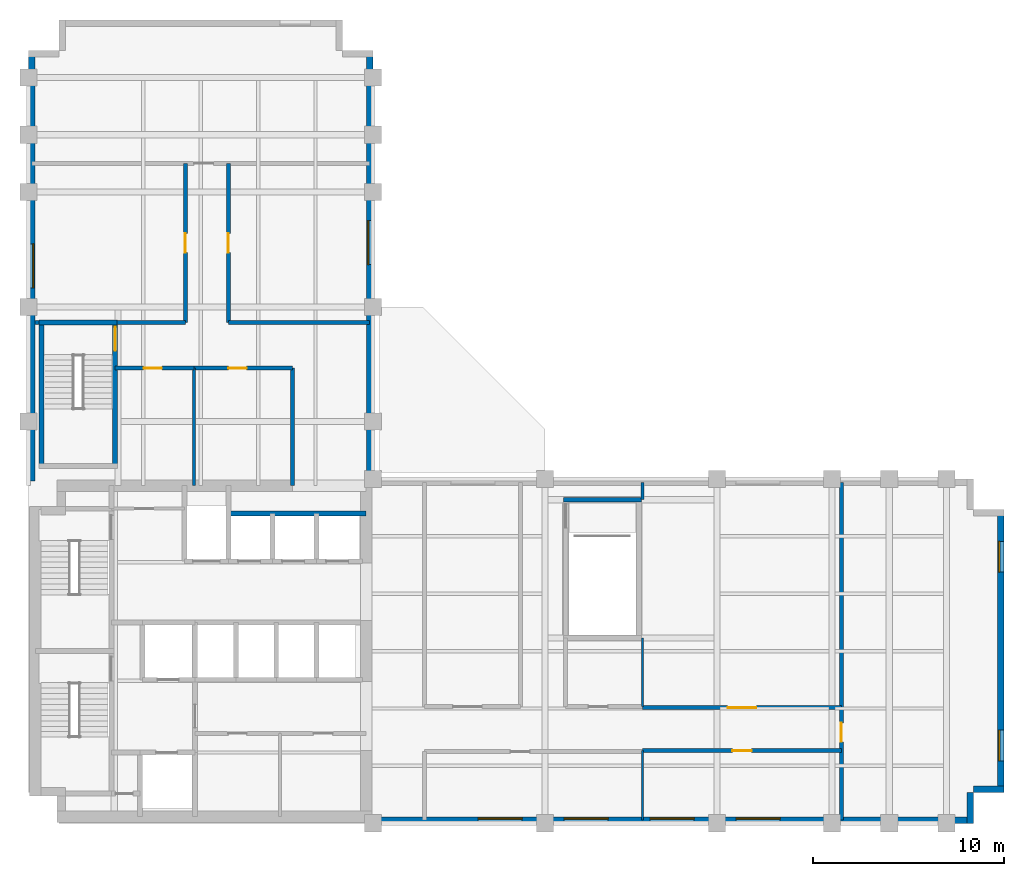
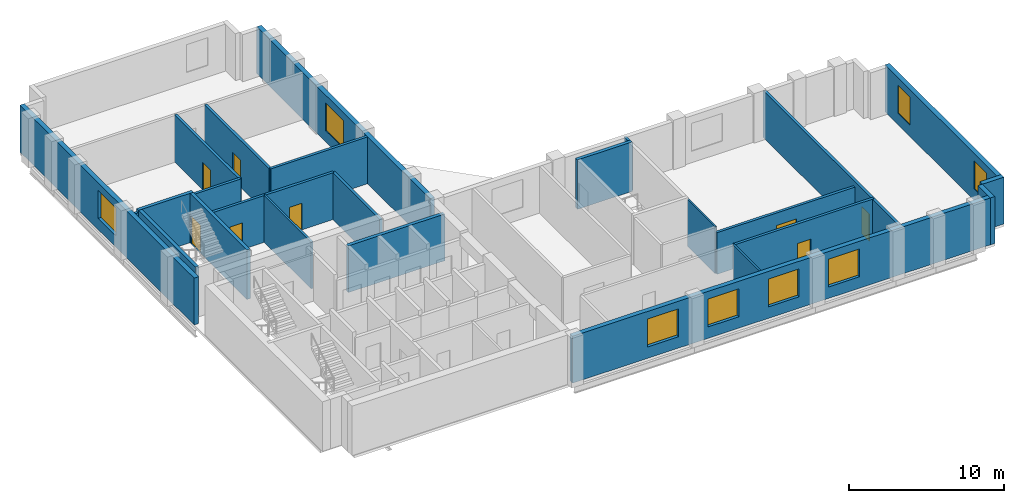
# One storey, part 4 of 6: 26 walls, 8 doors, 8 windows, 16 openings.
"""IFC4 building model written with IfcOpenShell, lengths in metres."""

from ifc_helpers import new_model, si_unit, direction, frame, frame_2d, origin, place, context, subcontext, project, spatial, rectangle, extrude, material, layer, layer_set, type_object, element, fill, save


model = new_model("IFC4")

# Units and contexts
model_context = context("Model", 3, precision=1e-05, world=origin(), true_north=direction((0.0, 1.0)))
body_context = subcontext(model_context, "Body", "Model", "MODEL_VIEW")
ifc_project = project(units=[si_unit("LENGTHUNIT", "METRE"), si_unit("AREAUNIT", "SQUARE_METRE"), si_unit("VOLUMEUNIT", "CUBIC_METRE"), si_unit("PLANEANGLEUNIT", "RADIAN"), si_unit("MASSUNIT", "GRAM", prefix="KILO")], contexts=[model_context])

# Site, building, storey
site_placement = place(None, origin())
site = spatial("IfcSite", under=ifc_project, at=site_placement, CompositionType="ELEMENT")
building_placement = place(site_placement, origin())
building = spatial("IfcBuilding", under=site, at=building_placement, Name="Mawjdan Bourse Tower", CompositionType="ELEMENT")
storey_placement = place(building_placement, frame((0.0, 0.0, 164.39990234375)))
storey = spatial("IfcBuildingStorey", under=building, at=storey_placement, Name="L39", CompositionType="ELEMENT", Elevation=164.39990234375)

# Wall, openings, windows
ifc_material_1 = material(Name="Brick Masonry Buff", Category="masonry")
ifc_layer_1 = layer(ifc_material_1, 0.340087890625)
ifc_layer_set_1 = layer_set([ifc_layer_1], Name="Brick Masonry Buff")
wall_type_1 = type_object("IfcWallType", Name="WL-BRK-SPN-340", PredefinedType="STANDARD", material=ifc_layer_set_1)
wall_1_placement = place(storey_placement, frame((23.89990234375, 3.169921875, 0.0), z_axis=(0.0, 0.0, 1.0), x_axis=(1.0, 0.0, 0.0)))
wall_1 = element("IfcWall", 1, at=wall_1_placement, inside=storey, type_object=wall_type_1, Name="L39 Exterior Brick Wall 1", PredefinedType="STANDARD", context=body_context, shape_type="SweptSolid", body=[
    extrude(rectangle(XDim=31.5, YDim=0.340087890625, at=frame_2d((15.75, 0.0))), origin(), (0.0, 0.0, 1.0), 3.7001953125),
])
opening_1_placement = place(wall_1_placement, frame((5.60009765625, 0.0, 0.89990234375)))
opening_1 = element("IfcOpeningElement", 2, at=opening_1_placement, cuts=wall_1, Name="Opening W-L39-01", PredefinedType="OPENING", context=body_context, shape_type="SweptSolid", body=[
    extrude(rectangle(XDim=2.300048828125, YDim=2.199951171875, at=frame_2d((1.14990234375, 1.10009765625))), frame((0.0, 0.18017578125, 0.0), z_axis=(0.0, -1.0, 0.0), x_axis=(1.0, 0.0, 0.0)), (0.0, 0.0, 1.0), 0.360107421875),
])
opening_2_placement = place(wall_1_placement, frame((10.10009765625, 0.0, 0.89990234375)))
opening_2 = element("IfcOpeningElement", 3, at=opening_2_placement, cuts=wall_1, Name="Opening W-L39-02", PredefinedType="OPENING", context=body_context, shape_type="SweptSolid", body=[
    extrude(rectangle(XDim=2.300048828125, YDim=2.199951171875, at=frame_2d((1.14990234375, 1.10009765625))), frame((0.0, 0.18017578125, 0.0), z_axis=(0.0, -1.0, 0.0), x_axis=(1.0, 0.0, 0.0)), (0.0, 0.0, 1.0), 0.360107421875),
])
opening_3_placement = place(wall_1_placement, frame((14.60009765625, 0.0, 0.89990234375)))
opening_3 = element("IfcOpeningElement", 4, at=opening_3_placement, cuts=wall_1, Name="Opening W-L39-03", PredefinedType="OPENING", context=body_context, shape_type="SweptSolid", body=[
    extrude(rectangle(XDim=2.300048828125, YDim=2.199951171875, at=frame_2d((1.14990234375, 1.10009765625))), frame((0.0, 0.18017578125, 0.0), z_axis=(0.0, -1.0, 0.0), x_axis=(1.0, 0.0, 0.0)), (0.0, 0.0, 1.0), 0.360107421875),
])
opening_4_placement = place(wall_1_placement, frame((19.10009765625, 0.0, 0.89990234375)))
opening_4 = element("IfcOpeningElement", 5, at=opening_4_placement, cuts=wall_1, Name="Opening W-L39-04", PredefinedType="OPENING", context=body_context, shape_type="SweptSolid", body=[
    extrude(rectangle(XDim=2.300048828125, YDim=2.199951171875, at=frame_2d((1.14990234375, 1.10009765625))), frame((0.0, 0.18017578125, 0.0), z_axis=(0.0, -1.0, 0.0), x_axis=(1.0, 0.0, 0.0)), (0.0, 0.0, 1.0), 0.360107421875),
])
ifc_material_2 = material(Name="Solar-Control Clear Double Glazing", Category="glass")
window_type_1 = type_object("IfcWindowType", Name="WN-Z3-2300", PartitioningType="SINGLE_PANEL", PredefinedType="WINDOW", material=ifc_material_2)
window_1_placement = place(opening_1_placement, origin())
window_1 = element("IfcWindow", 6, at=window_1_placement, inside=storey, type_object=window_type_1, Name="L39 Deep-Set Masonry Window W-L39-01", OverallHeight=2.199951171875, OverallWidth=2.300048828125, PartitioningType="SINGLE_PANEL", PredefinedType="WINDOW", context=body_context, shape_type="SweptSolid", body=[
    extrude(rectangle(XDim=2.300048828125, YDim=2.199951171875, at=frame_2d((1.14990234375, 1.10009765625))), frame((0.0, 0.110107421875, 0.0), z_axis=(0.0, -1.0, 0.0), x_axis=(1.0, 0.0, 0.0)), (0.0, 0.0, 1.0), 0.06005859375),
])
fill(opening_1, window_1)
window_2_placement = place(opening_2_placement, origin())
window_2 = element("IfcWindow", 7, at=window_2_placement, inside=storey, type_object=window_type_1, Name="L39 Deep-Set Masonry Window W-L39-02", OverallHeight=2.199951171875, OverallWidth=2.300048828125, PartitioningType="SINGLE_PANEL", PredefinedType="WINDOW", context=body_context, shape_type="SweptSolid", body=[
    extrude(rectangle(XDim=2.300048828125, YDim=2.199951171875, at=frame_2d((1.14990234375, 1.10009765625))), frame((0.0, 0.110107421875, 0.0), z_axis=(0.0, -1.0, 0.0), x_axis=(1.0, 0.0, 0.0)), (0.0, 0.0, 1.0), 0.06005859375),
])
fill(opening_2, window_2)
window_3_placement = place(opening_3_placement, origin())
window_3 = element("IfcWindow", 8, at=window_3_placement, inside=storey, type_object=window_type_1, Name="L39 Deep-Set Masonry Window W-L39-03", OverallHeight=2.199951171875, OverallWidth=2.300048828125, PartitioningType="SINGLE_PANEL", PredefinedType="WINDOW", context=body_context, shape_type="SweptSolid", body=[
    extrude(rectangle(XDim=2.300048828125, YDim=2.199951171875, at=frame_2d((1.14990234375, 1.10009765625))), frame((0.0, 0.110107421875, 0.0), z_axis=(0.0, -1.0, 0.0), x_axis=(1.0, 0.0, 0.0)), (0.0, 0.0, 1.0), 0.06005859375),
])
fill(opening_3, window_3)
window_4_placement = place(opening_4_placement, origin())
window_4 = element("IfcWindow", 9, at=window_4_placement, inside=storey, type_object=window_type_1, Name="L39 Deep-Set Masonry Window W-L39-04", OverallHeight=2.199951171875, OverallWidth=2.300048828125, PartitioningType="SINGLE_PANEL", PredefinedType="WINDOW", context=body_context, shape_type="SweptSolid", body=[
    extrude(rectangle(XDim=2.300048828125, YDim=2.199951171875, at=frame_2d((1.14990234375, 1.10009765625))), frame((0.0, 0.110107421875, 0.0), z_axis=(0.0, -1.0, 0.0), x_axis=(1.0, 0.0, 0.0)), (0.0, 0.0, 1.0), 0.06005859375),
])
fill(opening_4, window_4)

# Walls
for number, where, z_axis, x_axis, name in (
    (10, (55.22998046875, 3.0, 0.0), (0.0, 0.0, 1.0), (0.0, 1.0, 0.0), "L39 Exterior Brick Wall 2"),
    (11, (55.39990234375, 4.77001953125, 0.0), (0.0, 0.0, 1.0), (1.0, 0.0, 0.0), "L39 Exterior Brick Wall 3"),
):
    element("IfcWall", number, at=place(storey_placement, frame(where, z_axis=z_axis, x_axis=x_axis)), inside=storey, type_object=wall_type_1, Name=name, PredefinedType="STANDARD", context=body_context, shape_type="SweptSolid", body=[
        extrude(rectangle(XDim=1.60009765625, YDim=0.340087890625, at=frame_2d((0.800048828125, 0.0))), origin(), (0.0, 0.0, 1.0), 3.7001953125),
    ])

# Wall, openings, windows
wall_2_placement = place(storey_placement, frame((56.830078125, 4.60009765625, 0.0), z_axis=(0.0, 0.0, 1.0), x_axis=(0.0, 1.0, 0.0)))
wall_2 = element("IfcWall", 12, at=wall_2_placement, inside=storey, type_object=wall_type_1, Name="L39 Exterior Brick Wall 4", PredefinedType="STANDARD", context=body_context, shape_type="SweptSolid", body=[
    extrude(rectangle(XDim=14.7998046875, YDim=0.340087890625, at=frame_2d((7.39990234375, 0.0))), origin(), (0.0, 0.0, 1.0), 3.7001953125),
])
opening_5_placement = place(wall_2_placement, frame((1.666748046875, 0.0, 0.89990234375)))
opening_5 = element("IfcOpeningElement", 13, at=opening_5_placement, cuts=wall_2, Name="Opening W-L39-05", PredefinedType="OPENING", context=body_context, shape_type="SweptSolid", body=[
    extrude(rectangle(XDim=1.60009765625, YDim=2.199951171875, at=frame_2d((0.800048828125, 1.10009765625))), frame((0.0, 0.18017578125, 0.0), z_axis=(0.0, -1.0, 0.0), x_axis=(1.0, 0.0, 0.0)), (0.0, 0.0, 1.0), 0.360107421875),
])
opening_6_placement = place(wall_2_placement, frame((11.533203125, 0.0, 0.89990234375)))
opening_6 = element("IfcOpeningElement", 14, at=opening_6_placement, cuts=wall_2, Name="Opening W-L39-06", PredefinedType="OPENING", context=body_context, shape_type="SweptSolid", body=[
    extrude(rectangle(XDim=1.60009765625, YDim=2.199951171875, at=frame_2d((0.800048828125, 1.10009765625))), frame((0.0, 0.18017578125, 0.0), z_axis=(0.0, -1.0, 0.0), x_axis=(1.0, 0.0, 0.0)), (0.0, 0.0, 1.0), 0.360107421875),
])
window_type_2 = type_object("IfcWindowType", Name="WN-Z3-1600", PartitioningType="SINGLE_PANEL", PredefinedType="WINDOW", material=ifc_material_2)
window_5_placement = place(opening_5_placement, origin())
window_5 = element("IfcWindow", 15, at=window_5_placement, inside=storey, type_object=window_type_2, Name="L39 Deep-Set Masonry Window W-L39-05", OverallHeight=2.199951171875, OverallWidth=1.60009765625, PartitioningType="SINGLE_PANEL", PredefinedType="WINDOW", context=body_context, shape_type="SweptSolid", body=[
    extrude(rectangle(XDim=1.60009765625, YDim=2.199951171875, at=frame_2d((0.800048828125, 1.10009765625))), frame((0.0, 0.110107421875, 0.0), z_axis=(0.0, -1.0, 0.0), x_axis=(1.0, 0.0, 0.0)), (0.0, 0.0, 1.0), 0.06005859375),
])
fill(opening_5, window_5)
window_6_placement = place(opening_6_placement, origin())
window_6 = element("IfcWindow", 16, at=window_6_placement, inside=storey, type_object=window_type_2, Name="L39 Deep-Set Masonry Window W-L39-06", OverallHeight=2.199951171875, OverallWidth=1.60009765625, PartitioningType="SINGLE_PANEL", PredefinedType="WINDOW", context=body_context, shape_type="SweptSolid", body=[
    extrude(rectangle(XDim=1.60009765625, YDim=2.199951171875, at=frame_2d((0.800048828125, 1.10009765625))), frame((0.0, 0.110107421875, 0.0), z_axis=(0.0, -1.0, 0.0), x_axis=(1.0, 0.0, 0.0)), (0.0, 0.0, 1.0), 0.06005859375),
])
fill(opening_6, window_6)

# Wall, opening, window
wall_3_placement = place(storey_placement, frame((23.830078125, 21.0, 0.0), z_axis=(0.0, 0.0, 1.0), x_axis=(0.0, 1.0, 0.0)))
wall_3 = element("IfcWall", 17, at=wall_3_placement, inside=storey, type_object=wall_type_1, Name="L39 Exterior Brick Wall 8", PredefinedType="STANDARD", context=body_context, shape_type="SweptSolid", body=[
    extrude(rectangle(XDim=22.39990234375, YDim=0.340087890625, at=frame_2d((11.199951171875, 0.0))), origin(), (0.0, 0.0, 1.0), 3.7001953125),
])
opening_7_placement = place(wall_3_placement, frame((11.204833984375, 0.0, 0.89990234375)))
opening_7 = element("IfcOpeningElement", 18, at=opening_7_placement, cuts=wall_3, Name="Opening W-L39-11", PredefinedType="OPENING", context=body_context, shape_type="SweptSolid", body=[
    extrude(rectangle(XDim=2.300048828125, YDim=2.199951171875, at=frame_2d((1.14990234375, 1.10009765625))), frame((0.0, 0.18017578125, 0.0), z_axis=(0.0, -1.0, 0.0), x_axis=(1.0, 0.0, 0.0)), (0.0, 0.0, 1.0), 0.360107421875),
])
window_7_placement = place(opening_7_placement, origin())
window_7 = element("IfcWindow", 19, at=window_7_placement, inside=storey, type_object=window_type_1, Name="L39 Deep-Set Masonry Window W-L39-11", OverallHeight=2.199951171875, OverallWidth=2.300048828125, PartitioningType="SINGLE_PANEL", PredefinedType="WINDOW", context=body_context, shape_type="SweptSolid", body=[
    extrude(rectangle(XDim=2.300048828125, YDim=2.199951171875, at=frame_2d((1.14990234375, 1.10009765625))), frame((0.0, 0.110107421875, 0.0), z_axis=(0.0, -1.0, 0.0), x_axis=(1.0, 0.0, 0.0)), (0.0, 0.0, 1.0), 0.06005859375),
])
fill(opening_7, window_7)

wall_4_placement = place(storey_placement, frame((6.169921875, 43.39990234375, 0.0), z_axis=(0.0, 0.0, 1.0), x_axis=(0.0, -1.0, 0.0)))
wall_4 = element("IfcWall", 20, at=wall_4_placement, inside=storey, type_object=wall_type_1, Name="L39 Exterior Brick Wall 14", PredefinedType="STANDARD", context=body_context, shape_type="SweptSolid", body=[
    extrude(rectangle(XDim=22.5, YDim=0.340087890625, at=frame_2d((11.25, 0.0))), origin(), (0.0, 0.0, 1.0), 3.7001953125),
])
opening_8_placement = place(wall_4_placement, frame((10.10009765625, 0.0, 0.89990234375)))
opening_8 = element("IfcOpeningElement", 21, at=opening_8_placement, cuts=wall_4, Name="Opening W-L39-08", PredefinedType="OPENING", context=body_context, shape_type="SweptSolid", body=[
    extrude(rectangle(XDim=2.300048828125, YDim=2.199951171875, at=frame_2d((1.14990234375, 1.10009765625))), frame((0.0, 0.18017578125, 0.0), z_axis=(0.0, -1.0, 0.0), x_axis=(1.0, 0.0, 0.0)), (0.0, 0.0, 1.0), 0.360107421875),
])
window_8_placement = place(opening_8_placement, origin())
window_8 = element("IfcWindow", 22, at=window_8_placement, inside=storey, type_object=window_type_1, Name="L39 Deep-Set Masonry Window W-L39-08", OverallHeight=2.199951171875, OverallWidth=2.300048828125, PartitioningType="SINGLE_PANEL", PredefinedType="WINDOW", context=body_context, shape_type="SweptSolid", body=[
    extrude(rectangle(XDim=2.300048828125, YDim=2.199951171875, at=frame_2d((1.14990234375, 1.10009765625))), frame((0.0, 0.110107421875, 0.0), z_axis=(0.0, -1.0, 0.0), x_axis=(1.0, 0.0, 0.0)), (0.0, 0.0, 1.0), 0.06005859375),
])
fill(opening_8, window_8)

# Wall, opening, door
ifc_material_3 = material(Name="Gypsum Fireboard Assembly")
ifc_layer_2 = layer(ifc_material_3, 0.199951171875)
ifc_layer_set_2 = layer_set([ifc_layer_2], Name="Gypsum Fireboard Assembly")
wall_type_2 = type_object("IfcWallType", Name="WL-CMP-200", PredefinedType="PARTITIONING", material=ifc_layer_set_2)
wall_5_placement = place(storey_placement, frame((38.10009765625, 6.800048828125, 0.0), z_axis=(0.0, 0.0, 1.0), x_axis=(1.0, 0.0, 0.0)))
wall_5 = element("IfcWall", 23, at=wall_5_placement, inside=storey, type_object=wall_type_2, Name="L39 Sovereign Fund Suite Corridor Wall", PredefinedType="PARTITIONING", context=body_context, shape_type="SweptSolid", body=[
    extrude(rectangle(XDim=10.39990234375, YDim=0.199951171875, at=frame_2d((5.199951171875, 0.0))), origin(), (0.0, 0.0, 1.0), 3.690185546875),
])
opening_9_placement = place(wall_5_placement, frame((4.699951171875, 0.0, 0.0)))
opening_9 = element("IfcOpeningElement", 24, at=opening_9_placement, cuts=wall_5, Name="Opening D-L39-21", PredefinedType="OPENING", context=body_context, shape_type="SweptSolid", body=[
    extrude(rectangle(XDim=1.0, YDim=2.14990234375, at=frame_2d((0.5, 1.074951171875))), frame((0.0, 0.10986328125, 0.0), z_axis=(0.0, -1.0, 0.0), x_axis=(1.0, 0.0, 0.0)), (0.0, 0.0, 1.0), 0.219970703125),
])
ifc_material_4 = material(Name="Hardwood Acoustic Leaf", Category="wood")
door_type_1 = type_object("IfcDoorType", Name="DR-OFC-1000", OperationType="NOTDEFINED", PredefinedType="DOOR", material=ifc_material_4)
door_1_placement = place(opening_9_placement, origin())
door_1 = element("IfcDoor", 25, at=door_1_placement, inside=storey, type_object=door_type_1, Name="L39 Sovereign Fund Suite Door D-L39-21", OperationType="SINGLE_SWING_LEFT", OverallHeight=2.14990234375, OverallWidth=1.0, PredefinedType="DOOR", context=body_context, shape_type="SweptSolid", body=[
    extrude(rectangle(XDim=1.0, YDim=2.14990234375, at=frame_2d((0.5, 1.074951171875))), frame((0.0, 0.02490234375, 0.0), z_axis=(0.0, -1.0, 0.0), x_axis=(1.0, 0.0, 0.0)), (0.0, 0.0, 1.0), 0.050048828125),
])
fill(opening_9, door_1)

wall_6_placement = place(storey_placement, frame((38.10009765625, 9.050048828125, 0.0), z_axis=(0.0, 0.0, 1.0), x_axis=(1.0, 0.0, 0.0)))
wall_6 = element("IfcWall", 26, at=wall_6_placement, inside=storey, type_object=wall_type_2, Name="L39 Conference Room Corridor Wall", PredefinedType="PARTITIONING", context=body_context, shape_type="SweptSolid", body=[
    extrude(rectangle(XDim=10.39990234375, YDim=0.199951171875, at=frame_2d((5.199951171875, 0.0))), origin(), (0.0, 0.0, 1.0), 3.283203125),
])
opening_10_placement = place(wall_6_placement, frame((4.449951171875, 0.0, 0.0)))
opening_10 = element("IfcOpeningElement", 27, at=opening_10_placement, cuts=wall_6, Name="Opening D-L39-22", PredefinedType="OPENING", context=body_context, shape_type="SweptSolid", body=[
    extrude(rectangle(XDim=1.5, YDim=2.300048828125, at=frame_2d((0.75, 1.14990234375))), frame((0.0, 0.10986328125, 0.0), z_axis=(0.0, -1.0, 0.0), x_axis=(1.0, 0.0, 0.0)), (0.0, 0.0, 1.0), 0.219970703125),
])
ifc_material_5 = material(Name="Acoustic Glazed Timber", Category="wood")
door_type_2 = type_object("IfcDoorType", Name="DR-CNF-1500", OperationType="DOUBLE_DOOR_SINGLE_SWING", PredefinedType="DOOR", material=ifc_material_5)
door_2_placement = place(opening_10_placement, origin())
door_2 = element("IfcDoor", 28, at=door_2_placement, inside=storey, type_object=door_type_2, Name="L39 Conference Room Door D-L39-22", OperationType="DOUBLE_DOOR_SINGLE_SWING", OverallHeight=2.300048828125, OverallWidth=1.5, PredefinedType="DOOR", context=body_context, shape_type="SweptSolid", body=[
    extrude(rectangle(XDim=1.5, YDim=2.300048828125, at=frame_2d((0.75, 1.14990234375))), frame((0.0, 0.02490234375, 0.0), z_axis=(0.0, -1.0, 0.0), x_axis=(1.0, 0.0, 0.0)), (0.0, 0.0, 1.0), 0.050048828125),
])
fill(opening_10, door_2)

wall_7_placement = place(storey_placement, frame((48.5, 3.179931640625, 0.0), z_axis=(0.0, 0.0, 1.0), x_axis=(0.0, 1.0, 0.0)))
wall_7 = element("IfcWall", 29, at=wall_7_placement, inside=storey, type_object=wall_type_2, Name="L39 East Tip Full Cross Wall", PredefinedType="PARTITIONING", context=body_context, shape_type="SweptSolid", body=[
    extrude(rectangle(XDim=17.64013671875, YDim=0.199951171875, at=frame_2d((8.820068359375, 0.0))), origin(), (0.0, 0.0, 1.0), 3.690185546875),
])
opening_11_placement = place(wall_7_placement, frame((4.074951171875, 0.0, 0.0)))
opening_11 = element("IfcOpeningElement", 30, at=opening_11_placement, cuts=wall_7, Name="Opening D-L39-23", PredefinedType="OPENING", context=body_context, shape_type="SweptSolid", body=[
    extrude(rectangle(XDim=1.0, YDim=2.14990234375, at=frame_2d((0.5, 1.074951171875))), frame((0.0, 0.10986328125, 0.0), z_axis=(0.0, -1.0, 0.0), x_axis=(1.0, 0.0, 0.0)), (0.0, 0.0, 1.0), 0.219970703125),
])
door_3_placement = place(opening_11_placement, origin())
door_3 = element("IfcDoor", 31, at=door_3_placement, inside=storey, type_object=door_type_1, Name="L39 East Tip Hall Door D-L39-23", OperationType="SINGLE_SWING_RIGHT", OverallHeight=2.14990234375, OverallWidth=1.0, PredefinedType="DOOR", context=body_context, shape_type="SweptSolid", body=[
    extrude(rectangle(XDim=1.0, YDim=2.14990234375, at=frame_2d((0.5, 1.074951171875))), frame((0.0, 0.02490234375, 0.0), z_axis=(0.0, -1.0, 0.0), x_axis=(1.0, 0.0, 0.0)), (0.0, 0.0, 1.0), 0.050048828125),
])
fill(opening_11, door_3)

wall_8_placement = place(storey_placement, frame((10.52001953125, 26.800048828125, 0.0), z_axis=(0.0, 0.0, 1.0), x_axis=(1.0, 0.0, 0.0)))
wall_8 = element("IfcWall", 32, at=wall_8_placement, inside=storey, type_object=wall_type_2, Name="L39 Wing WC North Wall", PredefinedType="PARTITIONING", context=body_context, shape_type="SweptSolid", body=[
    extrude(rectangle(XDim=4.1298828125, YDim=0.199951171875, at=frame_2d((2.06494140625, 0.0))), origin(), (0.0, 0.0, 1.0), 3.690185546875),
])
opening_12_placement = place(wall_8_placement, frame((1.5, 0.0, 0.0)))
opening_12 = element("IfcOpeningElement", 33, at=opening_12_placement, cuts=wall_8, Name="Opening D-L39-24", PredefinedType="OPENING", context=body_context, shape_type="SweptSolid", body=[
    extrude(rectangle(XDim=0.949951171875, YDim=2.10009765625, at=frame_2d((0.47509765625, 1.050048828125))), frame((0.0, 0.10986328125, 0.0), z_axis=(0.0, -1.0, 0.0), x_axis=(1.0, 0.0, 0.0)), (0.0, 0.0, 1.0), 0.219970703125),
])
ifc_material_6 = material(Name="Moisture-Resistant Laminate Timber", Category="wood")
door_type_3 = type_object("IfcDoorType", Name="DR-WET-0950", OperationType="NOTDEFINED", PredefinedType="DOOR", material=ifc_material_6)
door_4_placement = place(opening_12_placement, origin())
door_4 = element("IfcDoor", 34, at=door_4_placement, inside=storey, type_object=door_type_3, Name="L39 Wing Accessible WC Door D-L39-24", OperationType="SINGLE_SWING_LEFT", OverallHeight=2.10009765625, OverallWidth=0.949951171875, PredefinedType="DOOR", context=body_context, shape_type="SweptSolid", body=[
    extrude(rectangle(XDim=0.949951171875, YDim=2.10009765625, at=frame_2d((0.47509765625, 1.050048828125))), frame((0.0, 0.02490234375, 0.0), z_axis=(0.0, -1.0, 0.0), x_axis=(1.0, 0.0, 0.0)), (0.0, 0.0, 1.0), 0.050048828125),
])
fill(opening_12, door_4)

wall_9_placement = place(storey_placement, frame((14.64990234375, 26.800048828125, 0.0), z_axis=(0.0, 0.0, 1.0), x_axis=(1.0, 0.0, 0.0)))
wall_9 = element("IfcWall", 35, at=wall_9_placement, inside=storey, type_object=wall_type_2, Name="L39 Wing Restroom North Wall", PredefinedType="PARTITIONING", context=body_context, shape_type="SweptSolid", body=[
    extrude(rectangle(XDim=5.150146484375, YDim=0.199951171875, at=frame_2d((2.5751953125, 0.0))), origin(), (0.0, 0.0, 1.0), 3.690185546875),
])
opening_13_placement = place(wall_9_placement, frame((1.800048828125, 0.0, 0.0)))
opening_13 = element("IfcOpeningElement", 36, at=opening_13_placement, cuts=wall_9, Name="Opening D-L39-25", PredefinedType="OPENING", context=body_context, shape_type="SweptSolid", body=[
    extrude(rectangle(XDim=0.949951171875, YDim=2.10009765625, at=frame_2d((0.47509765625, 1.050048828125))), frame((0.0, 0.10986328125, 0.0), z_axis=(0.0, -1.0, 0.0), x_axis=(1.0, 0.0, 0.0)), (0.0, 0.0, 1.0), 0.219970703125),
])
door_5_placement = place(opening_13_placement, origin())
door_5 = element("IfcDoor", 37, at=door_5_placement, inside=storey, type_object=door_type_3, Name="L39 Wing Restroom Door D-L39-25", OperationType="SINGLE_SWING_RIGHT", OverallHeight=2.10009765625, OverallWidth=0.949951171875, PredefinedType="DOOR", context=body_context, shape_type="SweptSolid", body=[
    extrude(rectangle(XDim=0.949951171875, YDim=2.10009765625, at=frame_2d((0.47509765625, 1.050048828125))), frame((0.0, 0.02490234375, 0.0), z_axis=(0.0, -1.0, 0.0), x_axis=(1.0, 0.0, 0.0)), (0.0, 0.0, 1.0), 0.050048828125),
])
fill(opening_13, door_5)

# Walls
wall_10_placement = place(storey_placement, frame((19.800048828125, 20.64990234375, 0.0), z_axis=(0.0, 0.0, 1.0), x_axis=(0.0, 1.0, 0.0)))
element("IfcWall", 38, at=wall_10_placement, inside=storey, type_object=wall_type_2, Name="L39 Wing Restroom East Wall", PredefinedType="PARTITIONING", context=body_context, shape_type="SweptSolid", body=[
    extrude(rectangle(XDim=6.150146484375, YDim=0.199951171875, at=frame_2d((3.0751953125, 0.0))), origin(), (0.0, 0.0, 1.0), 3.690185546875),
])
wall_11_placement = place(storey_placement, frame((6.340087890625, 29.179931640625, 0.0), z_axis=(0.0, 0.0, 1.0), x_axis=(1.0, 0.0, 0.0)))
element("IfcWall", 39, at=wall_11_placement, inside=storey, type_object=wall_type_2, Name="L39 North West Band ST3 West Return", PredefinedType="PARTITIONING", context=body_context, shape_type="SweptSolid", body=[
    extrude(rectangle(XDim=0.21484375, YDim=0.199951171875, at=frame_2d((0.107421875, 0.0))), origin(), (0.0, 0.0, 1.0), 3.690185546875),
])
wall_12_placement = place(storey_placement, frame((10.6298828125, 29.179931640625, 0.0), z_axis=(0.0, 0.0, 1.0), x_axis=(1.0, 0.0, 0.0)))
element("IfcWall", 40, at=wall_12_placement, inside=storey, type_object=wall_type_2, Name="L39 North West Band South Wall", PredefinedType="PARTITIONING", context=body_context, shape_type="SweptSolid", body=[
    extrude(rectangle(XDim=3.570068359375, YDim=0.199951171875, at=frame_2d((1.78515625, 0.0))), origin(), (0.0, 0.0, 1.0), 3.690185546875),
])
wall_13_placement = place(storey_placement, frame((16.449951171875, 29.179931640625, 0.0), z_axis=(0.0, 0.0, 1.0), x_axis=(1.0, 0.0, 0.0)))
element("IfcWall", 41, at=wall_13_placement, inside=storey, type_object=wall_type_2, Name="L39 North East Band South Wall", PredefinedType="PARTITIONING", context=body_context, shape_type="SweptSolid", body=[
    extrude(rectangle(XDim=7.3701171875, YDim=0.199951171875, at=frame_2d((3.68505859375, 0.0))), origin(), (0.0, 0.0, 1.0), 3.690185546875),
])

# Wall, opening, door
wall_14_placement = place(storey_placement, frame((14.199951171875, 29.179931640625, 0.0), z_axis=(0.0, 0.0, 1.0), x_axis=(0.0, 1.0, 0.0)))
wall_14 = element("IfcWall", 42, at=wall_14_placement, inside=storey, type_object=wall_type_2, Name="L39 Executive Office Corridor Wall", PredefinedType="PARTITIONING", context=body_context, shape_type="SweptSolid", body=[
    extrude(rectangle(XDim=8.320068359375, YDim=0.199951171875, at=frame_2d((4.16015625, 0.0))), origin(), (0.0, 0.0, 1.0), 3.690185546875),
])
opening_14_placement = place(wall_14_placement, frame((3.659912109375, 0.0, 0.0)))
opening_14 = element("IfcOpeningElement", 43, at=opening_14_placement, cuts=wall_14, Name="Opening D-L39-26", PredefinedType="OPENING", context=body_context, shape_type="SweptSolid", body=[
    extrude(rectangle(XDim=1.0, YDim=2.14990234375, at=frame_2d((0.5, 1.074951171875))), frame((0.0, 0.10986328125, 0.0), z_axis=(0.0, -1.0, 0.0), x_axis=(1.0, 0.0, 0.0)), (0.0, 0.0, 1.0), 0.219970703125),
])
door_6_placement = place(opening_14_placement, origin())
door_6 = element("IfcDoor", 44, at=door_6_placement, inside=storey, type_object=door_type_1, Name="L39 Executive Office Door D-L39-26", OperationType="SINGLE_SWING_LEFT", OverallHeight=2.14990234375, OverallWidth=1.0, PredefinedType="DOOR", context=body_context, shape_type="SweptSolid", body=[
    extrude(rectangle(XDim=1.0, YDim=2.14990234375, at=frame_2d((0.5, 1.074951171875))), frame((0.0, 0.02490234375, 0.0), z_axis=(0.0, -1.0, 0.0), x_axis=(1.0, 0.0, 0.0)), (0.0, 0.0, 1.0), 0.050048828125),
])
fill(opening_14, door_6)

wall_15_placement = place(storey_placement, frame((16.449951171875, 29.179931640625, 0.0), z_axis=(0.0, 0.0, 1.0), x_axis=(0.0, 1.0, 0.0)))
wall_15 = element("IfcWall", 45, at=wall_15_placement, inside=storey, type_object=wall_type_2, Name="L39 Economic Research Library Corridor Wall", PredefinedType="PARTITIONING", context=body_context, shape_type="SweptSolid", body=[
    extrude(rectangle(XDim=8.320068359375, YDim=0.199951171875, at=frame_2d((4.16015625, 0.0))), origin(), (0.0, 0.0, 1.0), 3.690185546875),
])
opening_15_placement = place(wall_15_placement, frame((3.659912109375, 0.0, 0.0)))
opening_15 = element("IfcOpeningElement", 46, at=opening_15_placement, cuts=wall_15, Name="Opening D-L39-27", PredefinedType="OPENING", context=body_context, shape_type="SweptSolid", body=[
    extrude(rectangle(XDim=1.0, YDim=2.14990234375, at=frame_2d((0.5, 1.074951171875))), frame((0.0, 0.10986328125, 0.0), z_axis=(0.0, -1.0, 0.0), x_axis=(1.0, 0.0, 0.0)), (0.0, 0.0, 1.0), 0.219970703125),
])
door_7_placement = place(opening_15_placement, origin())
door_7 = element("IfcDoor", 47, at=door_7_placement, inside=storey, type_object=door_type_1, Name="L39 Economic Research Library Door D-L39-27", OperationType="SINGLE_SWING_RIGHT", OverallHeight=2.14990234375, OverallWidth=1.0, PredefinedType="DOOR", context=body_context, shape_type="SweptSolid", body=[
    extrude(rectangle(XDim=1.0, YDim=2.14990234375, at=frame_2d((0.5, 1.074951171875))), frame((0.0, 0.02490234375, 0.0), z_axis=(0.0, -1.0, 0.0), x_axis=(1.0, 0.0, 0.0)), (0.0, 0.0, 1.0), 0.050048828125),
])
fill(opening_15, door_7)

# Walls
ifc_material_7 = material(Name="Gypsum Partition")
ifc_layer_3 = layer(ifc_material_7, 0.125)
ifc_layer_set_3 = layer_set([ifc_layer_3], Name="Gypsum Partition")
wall_type_3 = type_object("IfcWallType", Name="WL-PRT-125", PredefinedType="PARTITIONING", material=ifc_layer_set_3)
wall_16_placement = place(storey_placement, frame((38.10009765625, 3.179931640625, 0.0), z_axis=(0.0, 0.0, 1.0), x_axis=(0.0, 1.0, 0.0)))
element("IfcWall", 48, at=wall_16_placement, inside=storey, type_object=wall_type_3, Name="L39 ST5B South Return", PredefinedType="PARTITIONING", context=body_context, shape_type="SweptSolid", body=[
    extrude(rectangle(XDim=3.6201171875, YDim=0.125, at=frame_2d((1.81005859375, 0.0))), origin(), (0.0, 0.0, 1.0), 3.690185546875),
])
wall_17_placement = place(storey_placement, frame((38.10009765625, 9.10009765625, 0.0), z_axis=(0.0, 0.0, 1.0), x_axis=(0.0, 1.0, 0.0)))
element("IfcWall", 49, at=wall_17_placement, inside=storey, type_object=wall_type_3, Name="L39 ST5B Mid Conference East Wall", PredefinedType="PARTITIONING", context=body_context, shape_type="SweptSolid", body=[
    extrude(rectangle(XDim=3.579833984375, YDim=0.125, at=frame_2d((1.7900390625, 0.0))), origin(), (0.0, 0.0, 1.0), 3.690185546875),
])
ifc_material_8 = material(Name="Gypsum Acoustic Partition")
ifc_layer_4 = layer(ifc_material_8, 0.14990234375)
ifc_layer_set_4 = layer_set([ifc_layer_4], Name="Gypsum Acoustic Partition")
wall_type_4 = type_object("IfcWallType", Name="WL-PRT-150", PredefinedType="PARTITIONING", material=ifc_layer_set_4)
wall_18_placement = place(storey_placement, frame((38.10009765625, 19.919921875, 0.0), z_axis=(0.0, 0.0, 1.0), x_axis=(0.0, 1.0, 0.0)))
element("IfcWall", 50, at=wall_18_placement, inside=storey, type_object=wall_type_4, Name="L39 Sky Lobby ST5B North Return", PredefinedType="PARTITIONING", context=body_context, shape_type="SweptSolid", body=[
    extrude(rectangle(XDim=0.900146484375, YDim=0.14990234375, at=frame_2d((0.4501953125, 0.0))), origin(), (0.0, 0.0, 1.0), 3.690185546875),
])
wall_19_placement = place(storey_placement, frame((14.64990234375, 20.64990234375, 0.0), z_axis=(0.0, 0.0, 1.0), x_axis=(0.0, 1.0, 0.0)))
element("IfcWall", 51, at=wall_19_placement, inside=storey, type_object=wall_type_4, Name="L39 Wing WC Split Wall", PredefinedType="PARTITIONING", context=body_context, shape_type="SweptSolid", body=[
    extrude(rectangle(XDim=6.150146484375, YDim=0.14990234375, at=frame_2d((3.0751953125, 0.0))), origin(), (0.0, 0.0, 1.0), 3.690185546875),
])
ifc_material_9 = material(Name="Concrete C50/60", Category="concrete")
ifc_layer_5 = layer(ifc_material_9, 0.25)
ifc_layer_set_5 = layer_set([ifc_layer_5], Name="Concrete C50/60")
wall_type_5 = type_object("IfcWallType", Name="WL-SHFT-250", PredefinedType="PARTITIONING", material=ifc_layer_set_5)
wall_20_placement = place(storey_placement, frame((16.449951171875, 19.199951171875, 0.0), z_axis=(0.0, 0.0, 1.0), x_axis=(1.0, 0.0, 0.0)))
element("IfcWall", 52, at=wall_20_placement, inside=storey, type_object=wall_type_5, Name="L39 PH Bank North Shaft Back Wall", PredefinedType="PARTITIONING", context=body_context, shape_type="SweptSolid", body=[
    extrude(rectangle(XDim=7.199951171875, YDim=0.25, at=frame_2d((3.60009765625, 0.0))), origin(), (0.0, 0.0, 1.0), 3.690185546875),
])
ifc_layer_6 = layer(ifc_material_9, 0.25)
ifc_layer_set_6 = layer_set([ifc_layer_6], Name="Concrete C50/60")
wall_type_6 = type_object("IfcWallType", Name="WL-STRW-250", PredefinedType="SHEAR", material=ifc_layer_set_6)
wall_21_placement = place(storey_placement, frame((33.955078125, 19.919921875, 0.0), z_axis=(0.0, 0.0, 1.0), x_axis=(1.0, 0.0, 0.0)))
element("IfcWall", 53, at=wall_21_placement, inside=storey, type_object=wall_type_6, Name="L39 ST5B North Shaft Wall", PredefinedType="SHEAR", context=body_context, shape_type="SweptSolid", body=[
    extrude(rectangle(XDim=4.08984375, YDim=0.25, at=frame_2d((2.044921875, 0.0))), origin(), (0.0, 0.0, 1.0), 3.900146484375),
])
wall_22_placement = place(storey_placement, frame((6.554931640625, 29.179931640625, 0.0), z_axis=(0.0, 0.0, 1.0), x_axis=(1.0, 0.0, 0.0)))
element("IfcWall", 54, at=wall_22_placement, inside=storey, type_object=wall_type_6, Name="L39 ST3 North Shaft Wall", PredefinedType="SHEAR", context=body_context, shape_type="SweptSolid", body=[
    extrude(rectangle(XDim=4.090087890625, YDim=0.25, at=frame_2d((2.044921875, 0.0))), origin(), (0.0, 0.0, 1.0), 3.900146484375),
])
wall_23_placement = place(storey_placement, frame((6.679931640625, 21.679931640625, 0.0), z_axis=(0.0, 0.0, 1.0), x_axis=(0.0, 1.0, 0.0)))
element("IfcWall", 55, at=wall_23_placement, inside=storey, type_object=wall_type_6, Name="L39 ST3 West Shaft Wall", PredefinedType="SHEAR", context=body_context, shape_type="SweptSolid", body=[
    extrude(rectangle(XDim=7.5, YDim=0.25, at=frame_2d((3.75, 0.0))), origin(), (0.0, 0.0, 1.0), 3.900146484375),
])

# Wall, opening, door
wall_24_placement = place(storey_placement, frame((10.52001953125, 21.679931640625, 0.0), z_axis=(0.0, 0.0, 1.0), x_axis=(0.0, 1.0, 0.0)))
wall_24 = element("IfcWall", 56, at=wall_24_placement, inside=storey, type_object=wall_type_6, Name="L39 ST3 East Shaft Wall", PredefinedType="SHEAR", context=body_context, shape_type="SweptSolid", body=[
    extrude(rectangle(XDim=7.5, YDim=0.25, at=frame_2d((3.75, 0.0))), origin(), (0.0, 0.0, 1.0), 3.900146484375),
])
opening_16_placement = place(wall_24_placement, frame((6.02001953125, 0.0, 0.0)))
opening_16 = element("IfcOpeningElement", 57, at=opening_16_placement, cuts=wall_24, Name="Opening SD-L39-17", PredefinedType="OPENING", context=body_context, shape_type="SweptSolid", body=[
    extrude(rectangle(XDim=1.25, YDim=2.199951171875, at=frame_2d((0.625, 1.10009765625))), frame((0.0, 0.135009765625, 0.0), z_axis=(0.0, -1.0, 0.0), x_axis=(1.0, 0.0, 0.0)), (0.0, 0.0, 1.0), 0.27001953125),
])
ifc_material_10 = material(Name="Fire-Rated Steel Leaf", Category="steel")
door_type_4 = type_object("IfcDoorType", Name="FD-ST-1250", OperationType="NOTDEFINED", PredefinedType="DOOR", material=ifc_material_10)
door_8_placement = place(opening_16_placement, origin())
door_8 = element("IfcDoor", 58, at=door_8_placement, inside=storey, type_object=door_type_4, Name="L39 Stair ST3 Fire Door SD-L39-17", OperationType="SINGLE_SWING_RIGHT", OverallHeight=2.199951171875, OverallWidth=1.25, PredefinedType="DOOR", context=body_context, shape_type="SweptSolid", body=[
    extrude(rectangle(XDim=1.25, YDim=2.199951171875, at=frame_2d((0.625, 1.10009765625))), frame((0.0, 0.02490234375, 0.0), z_axis=(0.0, -1.0, 0.0), x_axis=(1.0, 0.0, 0.0)), (0.0, 0.0, 1.0), 0.050048828125),
])
fill(opening_16, door_8)

save(model, "model.ifc")
